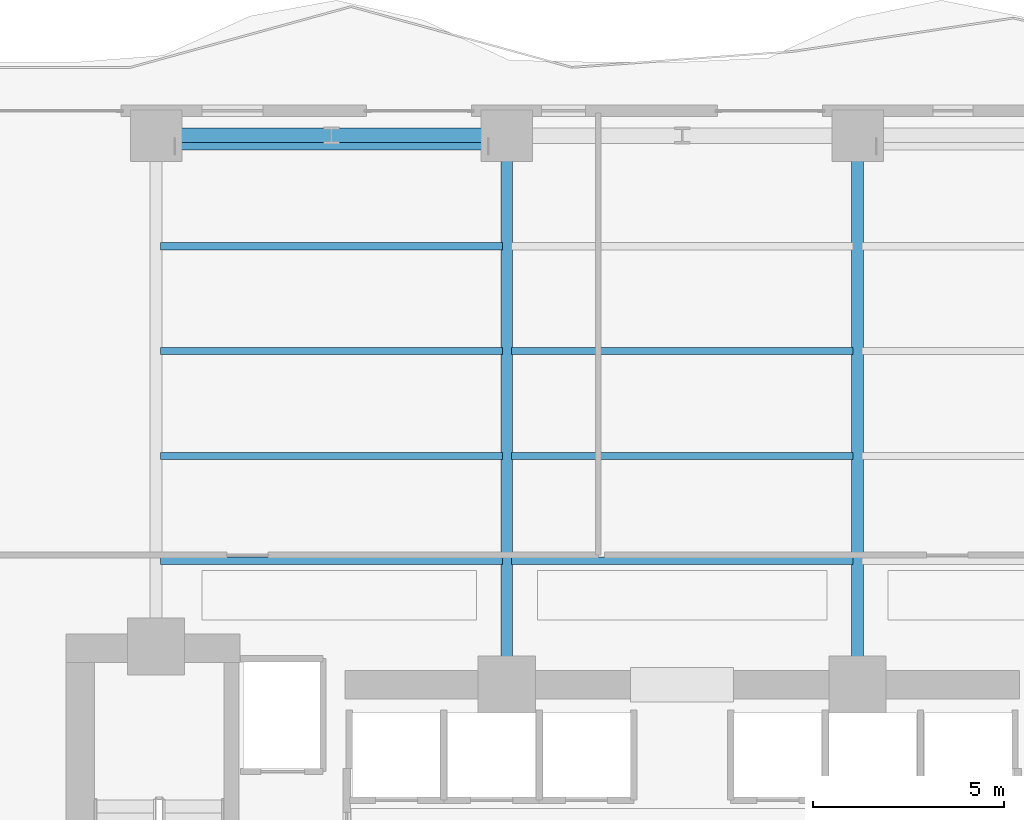
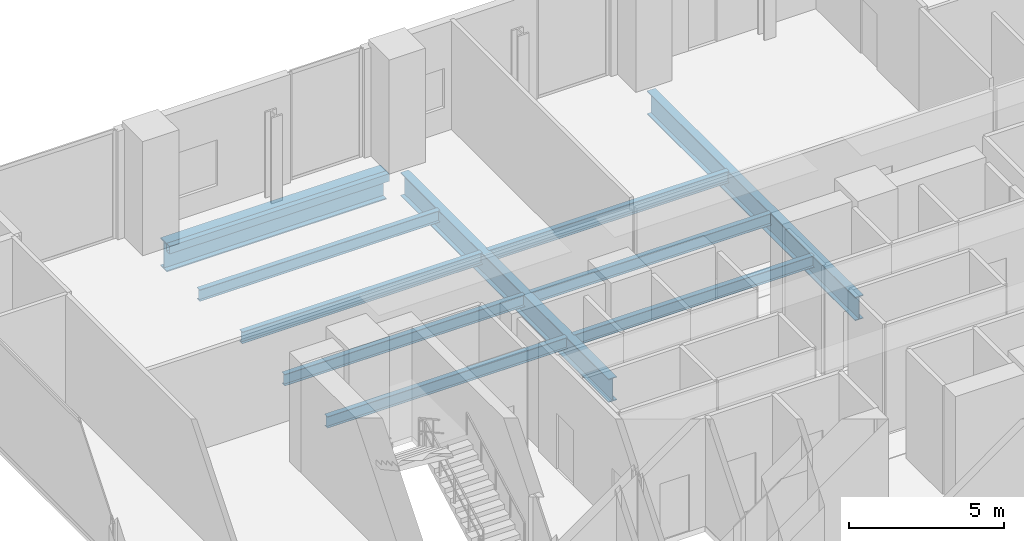
# One storey, part 19 of 33: 11 beams.
"""IFC4 building model written with IfcOpenShell, lengths in metres."""

from ifc_helpers import new_model, si_unit, direction, frame, origin, origin_2d, place, context, subcontext, project, spatial, hollow_rectangle, i_section, extrude, material, material_profile, profile_set, type_object, element, save


model = new_model("IFC4")

# Units and contexts
model_context = context("Model", 3, precision=1e-05, world=origin(), true_north=direction((0.0, 1.0)))
body_context = subcontext(model_context, "Body", "Model", "MODEL_VIEW")
ifc_project = project(units=[si_unit("LENGTHUNIT", "METRE"), si_unit("AREAUNIT", "SQUARE_METRE"), si_unit("VOLUMEUNIT", "CUBIC_METRE"), si_unit("PLANEANGLEUNIT", "RADIAN"), si_unit("MASSUNIT", "GRAM", prefix="KILO")], contexts=[model_context])

# Site, building, storey
site_placement = place(None, origin())
site = spatial("IfcSite", under=ifc_project, at=site_placement, CompositionType="ELEMENT")
building_placement = place(site_placement, origin())
building = spatial("IfcBuilding", under=site, at=building_placement, Name="Zuhayl Quay Hotel", CompositionType="ELEMENT")
storey_placement = place(building_placement, frame((0.0, 0.0, 154.050048828125)))
storey = spatial("IfcBuildingStorey", under=building, at=storey_placement, Name="L39", CompositionType="ELEMENT", Elevation=154.050048828125)

# Beams
ifc_material_1 = material(Name="Steel ASTM A992 Grade 50", Category="steel")
ifc_material_profile_1 = material_profile(ifc_material_1, i_section(OverallWidth=0.18994140625, OverallDepth=0.45703125, WebThickness=0.009033203125, FlangeThickness=0.014404296875, at=origin_2d()), Name="W18X50")
ifc_profile_set_1 = profile_set([ifc_material_profile_1], Name="Steel ASTM A992 Grade 50")
beam_type_1 = type_object("IfcBeamType", Name="BM_J2_W18X50", PredefinedType="JOIST", material=ifc_profile_set_1)
for number, where, z_axis, x_axis, name in (
    (1, (-13.680908203125, 16.60009765625, -0.448486328125), (1.0, 0.0, 0.0), (0.0, 1.0, 0.0), "L39 Floor Beam FJ_L39_1_1"),
    (2, (-4.48095703125, 16.60009765625, -0.448486328125), (1.0, 0.0, 0.0), (0.0, 1.0, 0.0), "L39 Floor Beam FJ_L39_1_2"),
    (3, (-13.680908203125, 19.35009765625, -0.448486328125), (1.0, 0.0, 0.0), (0.0, 1.0, 0.0), "L39 Floor Beam FJ_L39_2_1"),
    (4, (-4.48095703125, 19.35009765625, -0.448486328125), (1.0, 0.0, 0.0), (0.0, 1.0, 0.0), "L39 Floor Beam FJ_L39_2_2"),
    (5, (-13.680908203125, 22.10009765625, -0.448486328125), (1.0, 0.0, 0.0), (0.0, 1.0, 0.0), "L39 Floor Beam FJ_L39_3_1"),
    (6, (-4.48095703125, 22.10009765625, -0.448486328125), (1.0, 0.0, 0.0), (0.0, 1.0, 0.0), "L39 Floor Beam FJ_L39_3_2"),
    (7, (-13.680908203125, 24.85009765625, -0.448486328125), (1.0, 0.0, 0.0), (0.0, 1.0, 0.0), "L39 Floor Beam FJ_L39_4_1"),
):
    element("IfcBeam", number, at=place(storey_placement, frame(where, z_axis=z_axis, x_axis=x_axis)), inside=storey, type_object=beam_type_1, Name=name, PredefinedType="JOIST", context=body_context, shape_type="SweptSolid", body=[
        extrude(i_section(OverallWidth=0.18994140625, OverallDepth=0.45703125, WebThickness=0.009033203125, FlangeThickness=0.014404296875, at=origin_2d()), origin(), (0.0, 0.0, 1.0), 8.9619140625),
    ])
ifc_material_profile_2 = material_profile(ifc_material_1, i_section(OverallWidth=0.306884765625, OverallDepth=0.927001953125, WebThickness=0.019287109375, FlangeThickness=0.031982421875, at=origin_2d()), Name="W36X194")
ifc_profile_set_2 = profile_set([ifc_material_profile_2], Name="Steel ASTM A992 Grade 50")
beam_type_2 = type_object("IfcBeamType", Name="BM_PG2_W36X194", PredefinedType="BEAM", material=ifc_profile_set_2)
for number, where, z_axis, x_axis, name in (
    (8, (-4.60009765625, 13.800048828125, -0.68359375), (0.0, 1.0, 0.0), (-1.0, 0.0, 0.0), "L39 Floor Beam FG_N_L39_2"),
    (9, (4.60009765625, 13.800048828125, -0.68359375), (0.0, 1.0, 0.0), (-1.0, 0.0, 0.0), "L39 Floor Beam FG_N_L39_3"),
):
    element("IfcBeam", number, at=place(storey_placement, frame(where, z_axis=z_axis, x_axis=x_axis)), inside=storey, type_object=beam_type_2, Name=name, PredefinedType="BEAM", context=body_context, shape_type="SweptSolid", body=[
        extrude(i_section(OverallWidth=0.306884765625, OverallDepth=0.927001953125, WebThickness=0.019287109375, FlangeThickness=0.031982421875, at=origin_2d()), origin(), (0.0, 0.0, 1.0), 13.449951171875),
    ])
ifc_material_2 = material(Name="Steel ASTM A500 Grade C", Category="steel")
ifc_material_profile_3 = material_profile(ifc_material_2, hollow_rectangle(XDim=0.199951171875, YDim=0.300048828125, WallThickness=0.012451171875, at=origin_2d()), Name="HSS300X200X12")
ifc_profile_set_3 = profile_set([ifc_material_profile_3], Name="Steel ASTM A500 Grade C")
beam_type_3 = type_object("IfcBeamType", Name="BM_SP1_HSS300", PredefinedType="SPANDREL", material=ifc_profile_set_3)
beam_1_placement = place(storey_placement, frame((-13.300048828125, 27.469970703125, -0.3701171875), z_axis=(1.0, 0.0, 0.0), x_axis=(0.0, 1.0, 0.0)))
element("IfcBeam", 10, at=beam_1_placement, inside=storey, type_object=beam_type_3, Name="L39 Perimeter Spandrel Beam SP1-1", PredefinedType="SPANDREL", context=body_context, shape_type="SweptSolid", body=[
    extrude(hollow_rectangle(XDim=0.199951171875, YDim=0.300048828125, WallThickness=0.012451171875, at=origin_2d()), origin(), (0.0, 0.0, 1.0), 8.199951171875),
])
ifc_material_3 = material(Name="Steel ASTM A913 Grade 65", Category="steel")
ifc_material_profile_4 = material_profile(ifc_material_3, i_section(OverallWidth=0.404052734375, OverallDepth=1.117919921875, WebThickness=0.026123046875, FlangeThickness=0.044921875, at=origin_2d()), Name="W44X335")
ifc_profile_set_4 = profile_set([ifc_material_profile_4], Name="Steel ASTM A913 Grade 65")
beam_type_4 = type_object("IfcBeamType", Name="BM_TG1_W44X335", PredefinedType="BEAM", material=ifc_profile_set_4)
beam_2_placement = place(storey_placement, frame((-5.10009765625, 27.75, -0.779052734375), z_axis=(-1.0, 0.0, 0.0), x_axis=(0.0, -1.0, 0.0)))
element("IfcBeam", 11, at=beam_2_placement, inside=storey, type_object=beam_type_4, Name="L39 Floor Beam RG_L39_09", PredefinedType="BEAM", context=body_context, shape_type="SweptSolid", body=[
    extrude(i_section(OverallWidth=0.404052734375, OverallDepth=1.117919921875, WebThickness=0.026123046875, FlangeThickness=0.044921875, at=origin_2d()), origin(), (0.0, 0.0, 1.0), 8.199951171875),
])

save(model, "model.ifc")
